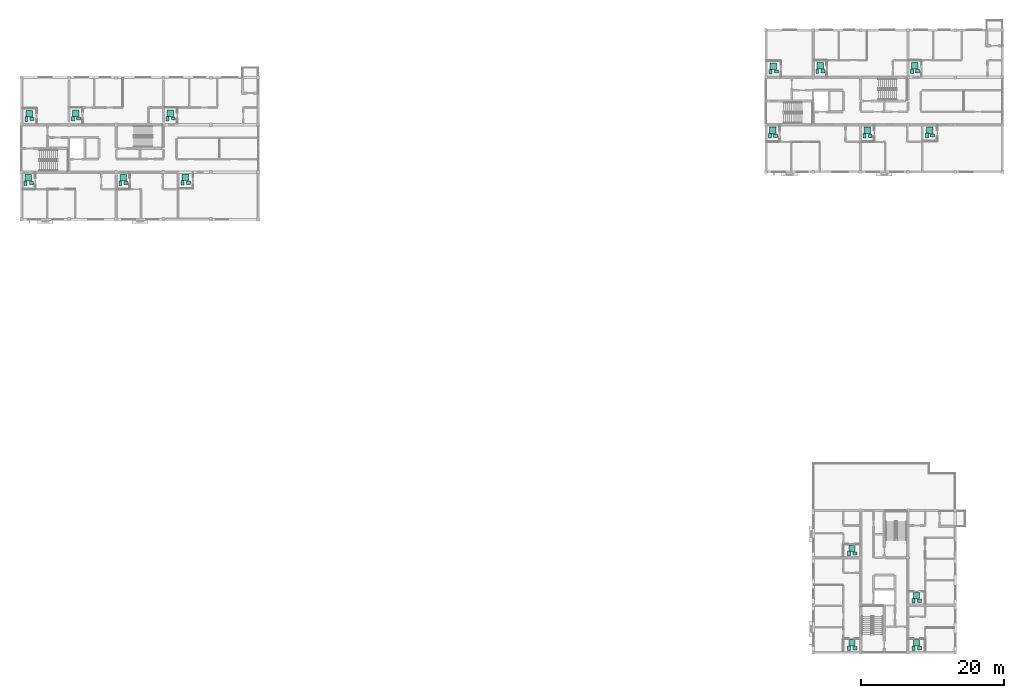
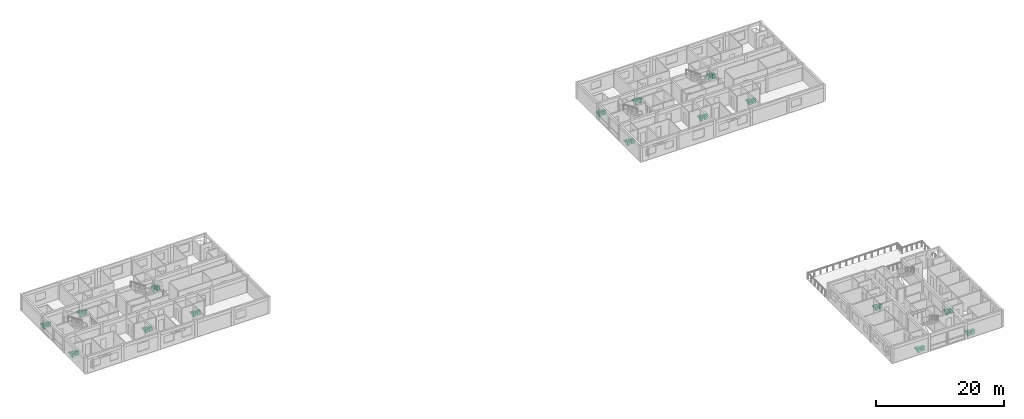
# One storey, part 37 of 37: 48 sanitary terminals.
"""IFC4 building model written with IfcOpenShell, lengths in metres."""

from ifc_helpers import new_model, si_unit, direction, frame, origin, origin_2d, place, context, subcontext, project, spatial, rectangle, extrude, material, type_object, element, save


model = new_model("IFC4")

# Units and contexts
model_context = context("Model", 3, precision=1e-05, world=origin(), true_north=direction((0.0, 1.0)))
body_context = subcontext(model_context, "Body", "Model", "MODEL_VIEW")
ifc_project = project(units=[si_unit("LENGTHUNIT", "METRE"), si_unit("AREAUNIT", "SQUARE_METRE"), si_unit("VOLUMEUNIT", "CUBIC_METRE"), si_unit("PLANEANGLEUNIT", "RADIAN"), si_unit("MASSUNIT", "GRAM", prefix="KILO")], contexts=[model_context])

# Site, building, storey
site_placement = place(None, origin())
site = spatial("IfcSite", under=ifc_project, at=site_placement, CompositionType="ELEMENT")
building_placement = place(site_placement, origin())
building = spatial("IfcBuilding", under=site, at=building_placement, Name="Kernevlak Ridge Housing Community", CompositionType="ELEMENT")
storey_placement = place(building_placement, frame((0.0, 0.0, 37.199951171875)))
storey = spatial("IfcBuildingStorey", under=building, at=storey_placement, Name="L11", CompositionType="ELEMENT", Elevation=37.199951171875)

# Sanitary terminals
ifc_material_1 = material(Name="Vitreous china ceramic")
sanitary_terminal_type_1 = type_object("IfcSanitaryTerminalType", Name="SN-BS", PredefinedType="WASHHANDBASIN", material=ifc_material_1)
for number, where, z_axis, x_axis, name in (
    (1, (16.949951171875, 81.050048828125, 0.0), (0.0, 0.0, 1.0), (1.0, 0.0, 0.0), "Washhand basin 61"),
    (2, (30.14990234375, 81.050048828125, 0.0), (0.0, 0.0, 1.0), (1.0, 0.0, 0.0), "Washhand basin 62"),
    (3, (38.85009765625, 81.10009765625, 0.0), (0.0, 0.0, 1.0), (1.0, 0.0, 0.0), "Washhand basin 63"),
    (4, (17.050048828125, 90.0, 0.0), (0.0, 0.0, 1.0), (1.0, 0.0, 0.0), "Washhand basin 64"),
    (5, (23.550048828125, 90.050048828125, 0.0), (0.0, 0.0, 1.0), (1.0, 0.0, 0.0), "Washhand basin 65"),
    (6, (36.75, 90.050048828125, 0.0), (0.0, 0.0, 1.0), (1.0, 0.0, 0.0), "Washhand basin 66"),
    (7, (120.75, 87.64990234375, 0.0), (0.0, 0.0, 1.0), (1.0, 0.0, 0.0), "Washhand basin 158"),
    (8, (133.949951171875, 87.64990234375, 0.0), (0.0, 0.0, 1.0), (1.0, 0.0, 0.0), "Washhand basin 159"),
    (9, (142.64990234375, 87.699951171875, 0.0), (0.0, 0.0, 1.0), (1.0, 0.0, 0.0), "Washhand basin 160"),
    (10, (120.85009765625, 96.60009765625, 0.0), (0.0, 0.0, 1.0), (1.0, 0.0, 0.0), "Washhand basin 161"),
    (11, (127.35009765625, 96.64990234375, 0.0), (0.0, 0.0, 1.0), (1.0, 0.0, 0.0), "Washhand basin 162"),
    (12, (140.550048828125, 96.64990234375, 0.0), (0.0, 0.0, 1.0), (1.0, 0.0, 0.0), "Washhand basin 163"),
    (13, (131.800048828125, 16.199951171875, 0.0), (0.0, 0.0, 1.0), (1.0, 0.0, 0.0), "Washhand basin 237"),
    (14, (131.800048828125, 29.39990234375, 0.0), (0.0, 0.0, 1.0), (1.0, 0.0, 0.0), "Washhand basin 238"),
    (15, (140.800048828125, 16.199951171875, 0.0), (0.0, 0.0, 1.0), (1.0, 0.0, 0.0), "Washhand basin 239"),
    (16, (140.800048828125, 22.800048828125, 0.0), (0.0, 0.0, 1.0), (1.0, 0.0, 0.0), "Washhand basin 240"),
):
    element("IfcSanitaryTerminal", number, at=place(storey_placement, frame(where, z_axis=z_axis, x_axis=x_axis)), inside=storey, type_object=sanitary_terminal_type_1, Name=name, PredefinedType="WASHHANDBASIN", context=body_context, shape_type="SweptSolid", body=[
        extrude(rectangle(XDim=0.550048828125, YDim=0.449951171875, at=origin_2d()), origin(), (0.0, 0.0, 1.0), 0.820068359375),
    ])
ifc_material_2 = material(Name="Glazed porcelain ceramic")
sanitary_terminal_type_2 = type_object("IfcSanitaryTerminalType", Name="SN-SH", PredefinedType="SHOWER", material=ifc_material_2)
for number, where, z_axis, x_axis, name in (
    (17, (16.550048828125, 81.800048828125, 0.0), (0.0, 0.0, 1.0), (1.0, 0.0, 0.0), "Shower tray 61"),
    (18, (29.75, 81.800048828125, 0.0), (0.0, 0.0, 1.0), (1.0, 0.0, 0.0), "Shower tray 62"),
    (19, (38.449951171875, 81.85009765625, 0.0), (0.0, 0.0, 1.0), (1.0, 0.0, 0.0), "Shower tray 63"),
    (20, (16.64990234375, 90.75, 0.0), (0.0, 0.0, 1.0), (1.0, 0.0, 0.0), "Shower tray 64"),
    (21, (23.14990234375, 90.800048828125, 0.0), (0.0, 0.0, 1.0), (1.0, 0.0, 0.0), "Shower tray 65"),
    (22, (36.35009765625, 90.800048828125, 0.0), (0.0, 0.0, 1.0), (1.0, 0.0, 0.0), "Shower tray 66"),
    (23, (120.35009765625, 88.39990234375, 0.0), (0.0, 0.0, 1.0), (1.0, 0.0, 0.0), "Shower tray 158"),
    (24, (133.550048828125, 88.39990234375, 0.0), (0.0, 0.0, 1.0), (1.0, 0.0, 0.0), "Shower tray 159"),
    (25, (142.25, 88.449951171875, 0.0), (0.0, 0.0, 1.0), (1.0, 0.0, 0.0), "Shower tray 160"),
    (26, (120.449951171875, 97.35009765625, 0.0), (0.0, 0.0, 1.0), (1.0, 0.0, 0.0), "Shower tray 161"),
    (27, (126.949951171875, 97.39990234375, 0.0), (0.0, 0.0, 1.0), (1.0, 0.0, 0.0), "Shower tray 162"),
    (28, (140.14990234375, 97.39990234375, 0.0), (0.0, 0.0, 1.0), (1.0, 0.0, 0.0), "Shower tray 163"),
    (29, (131.39990234375, 16.949951171875, 0.0), (0.0, 0.0, 1.0), (1.0, 0.0, 0.0), "Shower tray 237"),
    (30, (131.39990234375, 30.14990234375, 0.0), (0.0, 0.0, 1.0), (1.0, 0.0, 0.0), "Shower tray 238"),
    (31, (140.39990234375, 16.949951171875, 0.0), (0.0, 0.0, 1.0), (1.0, 0.0, 0.0), "Shower tray 239"),
    (32, (140.39990234375, 23.550048828125, 0.0), (0.0, 0.0, 1.0), (1.0, 0.0, 0.0), "Shower tray 240"),
):
    element("IfcSanitaryTerminal", number, at=place(storey_placement, frame(where, z_axis=z_axis, x_axis=x_axis)), inside=storey, type_object=sanitary_terminal_type_2, Name=name, PredefinedType="SHOWER", context=body_context, shape_type="SweptSolid", body=[
        extrude(rectangle(XDim=0.89990234375, YDim=0.89990234375, at=origin_2d()), origin(), (0.0, 0.0, 1.0), 0.1201171875),
    ])
sanitary_terminal_type_3 = type_object("IfcSanitaryTerminalType", Name="SN-WC", PredefinedType="TOILETPAN", material=ifc_material_1)
for number, where, z_axis, x_axis, name in (
    (33, (16.14990234375, 81.050048828125, 0.0), (0.0, 0.0, 1.0), (1.0, 0.0, 0.0), "WC pan 61"),
    (34, (29.35009765625, 81.050048828125, 0.0), (0.0, 0.0, 1.0), (1.0, 0.0, 0.0), "WC pan 62"),
    (35, (38.050048828125, 81.10009765625, 0.0), (0.0, 0.0, 1.0), (1.0, 0.0, 0.0), "WC pan 63"),
    (36, (16.25, 90.0, 0.0), (0.0, 0.0, 1.0), (1.0, 0.0, 0.0), "WC pan 64"),
    (37, (22.75, 90.050048828125, 0.0), (0.0, 0.0, 1.0), (1.0, 0.0, 0.0), "WC pan 65"),
    (38, (35.949951171875, 90.050048828125, 0.0), (0.0, 0.0, 1.0), (1.0, 0.0, 0.0), "WC pan 66"),
    (39, (119.949951171875, 87.64990234375, 0.0), (0.0, 0.0, 1.0), (1.0, 0.0, 0.0), "WC pan 158"),
    (40, (133.14990234375, 87.64990234375, 0.0), (0.0, 0.0, 1.0), (1.0, 0.0, 0.0), "WC pan 159"),
    (41, (141.85009765625, 87.699951171875, 0.0), (0.0, 0.0, 1.0), (1.0, 0.0, 0.0), "WC pan 160"),
    (42, (120.050048828125, 96.60009765625, 0.0), (0.0, 0.0, 1.0), (1.0, 0.0, 0.0), "WC pan 161"),
    (43, (126.550048828125, 96.64990234375, 0.0), (0.0, 0.0, 1.0), (1.0, 0.0, 0.0), "WC pan 162"),
    (44, (139.75, 96.64990234375, 0.0), (0.0, 0.0, 1.0), (1.0, 0.0, 0.0), "WC pan 163"),
    (45, (131.0, 16.199951171875, 0.0), (0.0, 0.0, 1.0), (1.0, 0.0, 0.0), "WC pan 237"),
    (46, (131.0, 29.39990234375, 0.0), (0.0, 0.0, 1.0), (1.0, 0.0, 0.0), "WC pan 238"),
    (47, (140.0, 16.199951171875, 0.0), (0.0, 0.0, 1.0), (1.0, 0.0, 0.0), "WC pan 239"),
    (48, (140.0, 22.800048828125, 0.0), (0.0, 0.0, 1.0), (1.0, 0.0, 0.0), "WC pan 240"),
):
    element("IfcSanitaryTerminal", number, at=place(storey_placement, frame(where, z_axis=z_axis, x_axis=x_axis)), inside=storey, type_object=sanitary_terminal_type_3, Name=name, PredefinedType="TOILETPAN", context=body_context, shape_type="SweptSolid", body=[
        extrude(rectangle(XDim=0.39990234375, YDim=0.64990234375, at=origin_2d()), origin(), (0.0, 0.0, 1.0), 0.780029296875),
    ])

save(model, "model.ifc")
